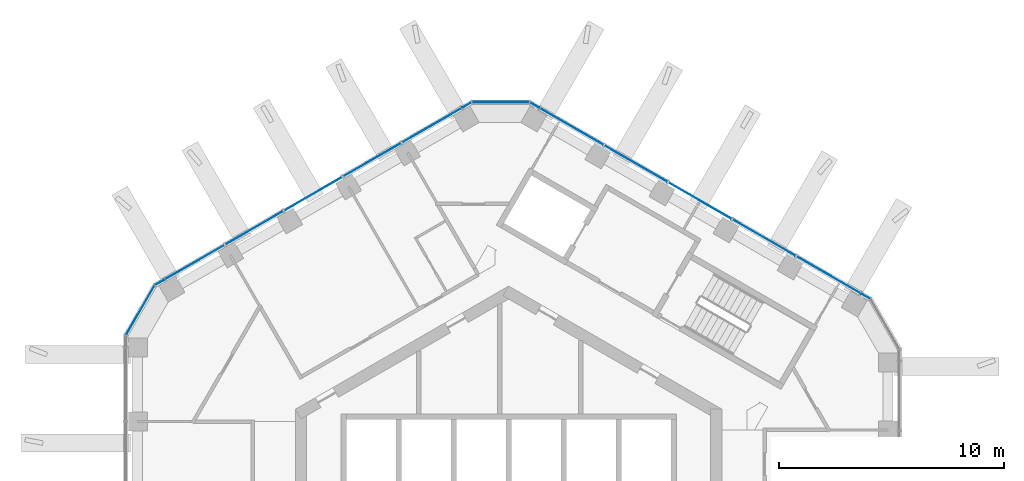
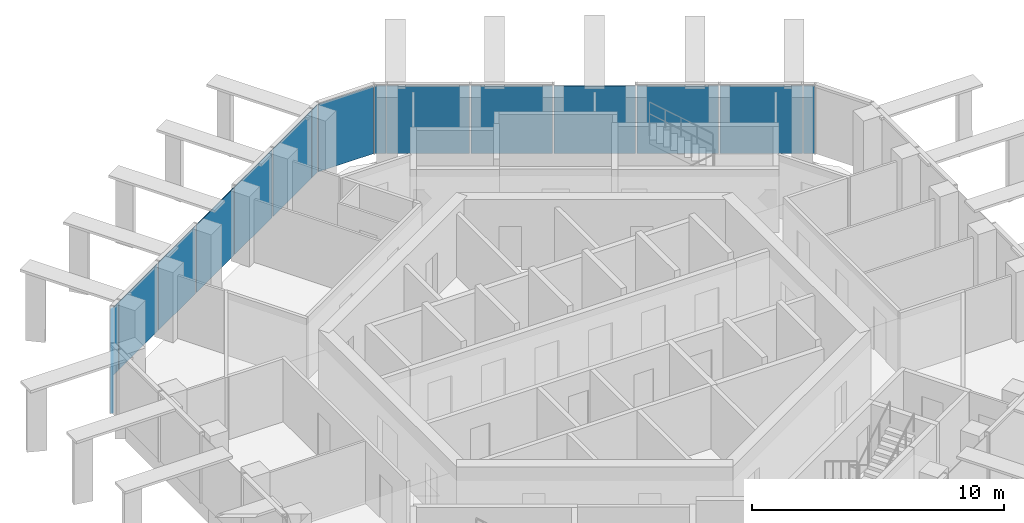
# One storey, part 10 of 18: 16 plates, 5 elements without a shape of their own.
"""IFC4 building model written with IfcOpenShell, lengths in metres."""

from ifc_helpers import new_model, si_unit, direction, frame, origin, origin_2d, place, context, subcontext, project, spatial, rectangle, extrude, material, layer, layer_set, type_object, element, aggregate, save


model = new_model("IFC4")

# Units and contexts
model_context = context("Model", 3, precision=1e-05, world=origin(), true_north=direction((0.0, 1.0)))
body_context = subcontext(model_context, "Body", "Model", "MODEL_VIEW")
ifc_project = project(units=[si_unit("LENGTHUNIT", "METRE"), si_unit("AREAUNIT", "SQUARE_METRE"), si_unit("VOLUMEUNIT", "CUBIC_METRE"), si_unit("PLANEANGLEUNIT", "RADIAN"), si_unit("MASSUNIT", "GRAM", prefix="KILO")], contexts=[model_context])

# Site, building, storey
site_placement = place(None, origin())
site = spatial("IfcSite", under=ifc_project, at=site_placement, CompositionType="ELEMENT")
building_placement = place(site_placement, origin())
building = spatial("IfcBuilding", under=site, at=building_placement, Name="Ayvan Gate Tower", CompositionType="ELEMENT")
storey_placement = place(building_placement, frame((0.0, 0.0, 239.300048828125)))
storey = spatial("IfcBuildingStorey", under=building, at=storey_placement, Name="L64", CompositionType="ELEMENT", Elevation=239.300048828125)

# Curtain wall, plates
ifc_material_1 = material(Name="Bronze anodised aluminium", Category="aluminium")
ifc_layer_1 = layer(ifc_material_1, 0.199951171875)
ifc_layer_set_1 = layer_set([ifc_layer_1], Name="Bronze anodised aluminium")
curtain_wall_type_1 = type_object("IfcCurtainWallType", Name="Stick curtain wall CW-2", PredefinedType="NOTDEFINED", material=ifc_layer_set_1)
curtain_wall_1_placement = place(storey_placement, origin())
curtain_wall_1 = element("IfcCurtainWall", 1, at=curtain_wall_1_placement, inside=storey, type_object=curtain_wall_type_1, Name="Stick curtain wall CW-2 L64", PredefinedType="NOTDEFINED")
ifc_material_2 = material(Name="Clear low-iron laminated glass", Category="glass")
ifc_layer_2 = layer(ifc_material_2, 0.028076171875)
ifc_layer_set_2 = layer_set([ifc_layer_2], Name="Clear low-iron laminated glass")
plate_type_1 = type_object("IfcPlateType", Name="Stick curtain wall CW-2 glass panel", PredefinedType="CURTAIN_PANEL", material=ifc_layer_set_2)
plate_1_placement = place(storey_placement, frame((-3.4150390625, 18.134521484375, 0.0), z_axis=(0.0, 0.0, 1.0), x_axis=(-0.866025403784, -0.5, 0.0)))
plate_1 = element("IfcPlate", 2, at=plate_1_placement, type_object=plate_type_1, Name="CW-2 glass panel 1", PredefinedType="CURTAIN_PANEL", context=body_context, shape_type="SweptSolid", body=[
    extrude(rectangle(XDim=3.06201171875, YDim=0.028076171875, at=origin_2d()), origin(), (0.0, 0.0, 1.0), 3.280029296875),
])
plate_2_placement = place(storey_placement, frame((-6.082763671875, 16.594482421875, 0.0), z_axis=(0.0, 0.0, 1.0), x_axis=(-0.866025403784, -0.5, 0.0)))
plate_2 = element("IfcPlate", 3, at=plate_2_placement, type_object=plate_type_1, Name="CW-2 glass panel 2", PredefinedType="CURTAIN_PANEL", context=body_context, shape_type="SweptSolid", body=[
    extrude(rectangle(XDim=2.958984375, YDim=0.028076171875, at=origin_2d()), origin(), (0.0, 0.0, 1.0), 3.280029296875),
])
plate_3_placement = place(storey_placement, frame((-8.705810546875, 15.079833984375, 0.0), z_axis=(0.0, 0.0, 1.0), x_axis=(-0.866025403784, -0.5, 0.0)))
plate_3 = element("IfcPlate", 4, at=plate_3_placement, type_object=plate_type_1, Name="CW-2 glass panel 3", PredefinedType="CURTAIN_PANEL", context=body_context, shape_type="SweptSolid", body=[
    extrude(rectangle(XDim=2.958984375, YDim=0.028076171875, at=origin_2d()), origin(), (0.0, 0.0, 1.0), 3.280029296875),
])
plate_4_placement = place(storey_placement, frame((-11.3291015625, 13.5654296875, 0.0), z_axis=(0.0, 0.0, 1.0), x_axis=(-0.866025403784, -0.5, 0.0)))
plate_4 = element("IfcPlate", 5, at=plate_4_placement, type_object=plate_type_1, Name="CW-2 glass panel 4", PredefinedType="CURTAIN_PANEL", context=body_context, shape_type="SweptSolid", body=[
    extrude(rectangle(XDim=2.958984375, YDim=0.028076171875, at=origin_2d()), origin(), (0.0, 0.0, 1.0), 3.280029296875),
])
plate_5_placement = place(storey_placement, frame((-13.997314453125, 12.02490234375, 0.0), z_axis=(0.0, 0.0, 1.0), x_axis=(-0.866025403784, -0.5, 0.0)))
plate_5 = element("IfcPlate", 6, at=plate_5_placement, type_object=plate_type_1, Name="CW-2 glass panel 5", PredefinedType="CURTAIN_PANEL", context=body_context, shape_type="SweptSolid", body=[
    extrude(rectangle(XDim=3.062744140625, YDim=0.028076171875, at=origin_2d()), origin(), (0.0, 0.0, 1.0), 3.280029296875),
])
aggregate(curtain_wall_1, [plate_1, plate_2, plate_3, plate_4, plate_5])

curtain_wall_2_placement = place(storey_placement, origin())
curtain_wall_2 = element("IfcCurtainWall", 7, at=curtain_wall_2_placement, inside=storey, type_object=curtain_wall_type_1, Name="Stick curtain wall CW-2 L64", PredefinedType="NOTDEFINED")
plate_6_placement = place(storey_placement, frame((14.260009765625, 11.4619140625, 0.0), z_axis=(0.0, 0.0, 1.0), x_axis=(-0.866025403784, 0.5, 0.0)))
plate_6 = element("IfcPlate", 8, at=plate_6_placement, type_object=plate_type_1, Name="CW-2 glass panel 1", PredefinedType="CURTAIN_PANEL", context=body_context, shape_type="SweptSolid", body=[
    extrude(rectangle(XDim=3.278076171875, YDim=0.028076171875, at=origin_2d()), origin(), (0.0, 0.0, 1.0), 3.280029296875),
])
plate_7_placement = place(storey_placement, frame((11.3828125, 13.123291015625, 0.0), z_axis=(0.0, 0.0, 1.0), x_axis=(-0.866025403784, 0.5, 0.0)))
plate_7 = element("IfcPlate", 9, at=plate_7_placement, type_object=plate_type_1, Name="CW-2 glass panel 2", PredefinedType="CURTAIN_PANEL", context=body_context, shape_type="SweptSolid", body=[
    extrude(rectangle(XDim=3.22705078125, YDim=0.028076171875, at=origin_2d()), origin(), (0.0, 0.0, 1.0), 3.280029296875),
])
plate_8_placement = place(storey_placement, frame((8.52783203125, 14.771484375, 0.0), z_axis=(0.0, 0.0, 1.0), x_axis=(-0.866025403784, 0.5, 0.0)))
plate_8 = element("IfcPlate", 10, at=plate_8_placement, type_object=plate_type_1, Name="CW-2 glass panel 3", PredefinedType="CURTAIN_PANEL", context=body_context, shape_type="SweptSolid", body=[
    extrude(rectangle(XDim=3.22607421875, YDim=0.028076171875, at=origin_2d()), origin(), (0.0, 0.0, 1.0), 3.280029296875),
])
plate_9_placement = place(storey_placement, frame((5.673583984375, 16.41943359375, 0.0), z_axis=(0.0, 0.0, 1.0), x_axis=(-0.866025403784, 0.5, 0.0)))
plate_9 = element("IfcPlate", 11, at=plate_9_placement, type_object=plate_type_1, Name="CW-2 glass panel 4", PredefinedType="CURTAIN_PANEL", context=body_context, shape_type="SweptSolid", body=[
    extrude(rectangle(XDim=3.22607421875, YDim=0.028076171875, at=origin_2d()), origin(), (0.0, 0.0, 1.0), 3.280029296875),
])
plate_10_placement = place(storey_placement, frame((2.79638671875, 18.08056640625, 0.0), z_axis=(0.0, 0.0, 1.0), x_axis=(-0.866025403784, 0.5, 0.0)))
plate_10 = element("IfcPlate", 12, at=plate_10_placement, type_object=plate_type_1, Name="CW-2 glass panel 5", PredefinedType="CURTAIN_PANEL", context=body_context, shape_type="SweptSolid", body=[
    extrude(rectangle(XDim=3.2783203125, YDim=0.028076171875, at=origin_2d()), origin(), (0.0, 0.0, 1.0), 3.280029296875),
])
aggregate(curtain_wall_2, [plate_6, plate_7, plate_8, plate_9, plate_10])

ifc_layer_3 = layer(ifc_material_1, 0.199951171875)
ifc_layer_set_3 = layer_set([ifc_layer_3], Name="Bronze anodised aluminium")
curtain_wall_type_2 = type_object("IfcCurtainWallType", Name="Stick curtain wall CW-6", PredefinedType="NOTDEFINED", material=ifc_layer_set_3)
curtain_wall_3_placement = place(storey_placement, origin())
curtain_wall_3 = element("IfcCurtainWall", 13, at=curtain_wall_3_placement, inside=storey, type_object=curtain_wall_type_2, Name="Stick curtain wall CW-6 L64", PredefinedType="NOTDEFINED")
ifc_layer_4 = layer(ifc_material_2, 0.028076171875)
ifc_layer_set_4 = layer_set([ifc_layer_4], Name="Clear low-iron laminated glass")
plate_type_2 = type_object("IfcPlateType", Name="Stick curtain wall CW-6 glass panel", PredefinedType="CURTAIN_PANEL", material=ifc_layer_set_4)
plate_11_placement = place(storey_placement, frame((-15.548583984375, 11.129150390625, 0.0), z_axis=(0.0, 0.0, 1.0), x_axis=(-0.866025403784, -0.5, 0.0)))
plate_11 = element("IfcPlate", 14, at=plate_11_placement, type_object=plate_type_2, Name="CW-6 glass panel 1", PredefinedType="CURTAIN_PANEL", context=body_context, shape_type="SweptSolid", body=[
    extrude(rectangle(XDim=0.449951171875, YDim=0.028076171875, at=origin_2d()), origin(), (0.0, 0.0, 1.0), 3.280029296875),
])
plate_12_placement = place(storey_placement, frame((-16.410888671875, 9.885986328125, 0.0), z_axis=(0.0, 0.0, 1.0), x_axis=(-0.5, -0.866025403784, 0.0)))
plate_12 = element("IfcPlate", 15, at=plate_12_placement, type_object=plate_type_2, Name="CW-6 glass panel 2", PredefinedType="CURTAIN_PANEL", context=body_context, shape_type="SweptSolid", body=[
    extrude(rectangle(XDim=2.532470703125, YDim=0.028076171875, at=origin_2d()), origin(), (0.0, 0.0, 1.0), 3.280029296875),
])
aggregate(curtain_wall_3, [plate_11, plate_12])

# Curtain wall, plate
curtain_wall_4_placement = place(storey_placement, origin())
curtain_wall_4 = element("IfcCurtainWall", 16, at=curtain_wall_4_placement, inside=storey, type_object=curtain_wall_type_2, Name="Stick curtain wall CW-6 L64", PredefinedType="NOTDEFINED")
plate_13_placement = place(storey_placement, frame((15.90478515625, 10.512451171875, 0.0), z_axis=(0.0, 0.0, 1.0), x_axis=(-0.866025403784, 0.5, 0.0)))
plate_13 = element("IfcPlate", 17, at=plate_13_placement, type_object=plate_type_2, Name="CW-6 glass panel 3", PredefinedType="CURTAIN_PANEL", context=body_context, shape_type="SweptSolid", body=[
    extrude(rectangle(XDim=0.449951171875, YDim=0.028076171875, at=origin_2d()), origin(), (0.0, 0.0, 1.0), 3.280029296875),
])
aggregate(curtain_wall_4, [plate_13])

# Curtain wall, plates
curtain_wall_5_placement = place(storey_placement, origin())
curtain_wall_5 = element("IfcCurtainWall", 18, at=curtain_wall_5_placement, inside=storey, type_object=curtain_wall_type_2, Name="Stick curtain wall CW-6 L64", PredefinedType="NOTDEFINED")
plate_14_placement = place(storey_placement, frame((1.151611328125, 19.030029296875, 0.0), z_axis=(0.0, 0.0, 1.0), x_axis=(-0.866025403784, 0.5, 0.0)))
plate_14 = element("IfcPlate", 19, at=plate_14_placement, type_object=plate_type_2, Name="CW-6 glass panel 1", PredefinedType="CURTAIN_PANEL", context=body_context, shape_type="SweptSolid", body=[
    extrude(rectangle(XDim=0.449951171875, YDim=0.028076171875, at=origin_2d()), origin(), (0.0, 0.0, 1.0), 3.280029296875),
])
plate_15_placement = place(storey_placement, frame((-0.356201171875, 19.155029296875, 0.0), z_axis=(0.0, 0.0, 1.0), x_axis=(-1.0, 0.0, 0.0)))
plate_15 = element("IfcPlate", 20, at=plate_15_placement, type_object=plate_type_2, Name="CW-6 glass panel 2", PredefinedType="CURTAIN_PANEL", context=body_context, shape_type="SweptSolid", body=[
    extrude(rectangle(XDim=2.532470703125, YDim=0.028076171875, at=origin_2d()), origin(), (0.0, 0.0, 1.0), 3.280029296875),
])
plate_16_placement = place(storey_placement, frame((-1.86376953125, 19.030029296875, 0.0), z_axis=(0.0, 0.0, 1.0), x_axis=(-0.866025403784, -0.5, 0.0)))
plate_16 = element("IfcPlate", 21, at=plate_16_placement, type_object=plate_type_2, Name="CW-6 glass panel 3", PredefinedType="CURTAIN_PANEL", context=body_context, shape_type="SweptSolid", body=[
    extrude(rectangle(XDim=0.449951171875, YDim=0.028076171875, at=origin_2d()), origin(), (0.0, 0.0, 1.0), 3.280029296875),
])
aggregate(curtain_wall_5, [plate_14, plate_15, plate_16])

save(model, "model.ifc")
